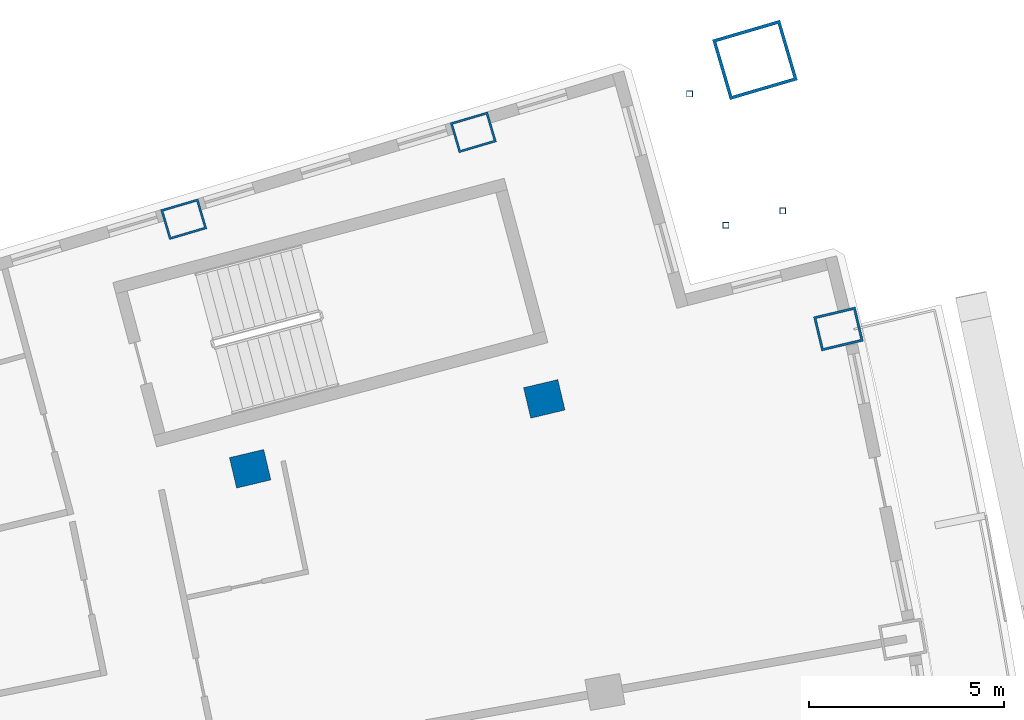
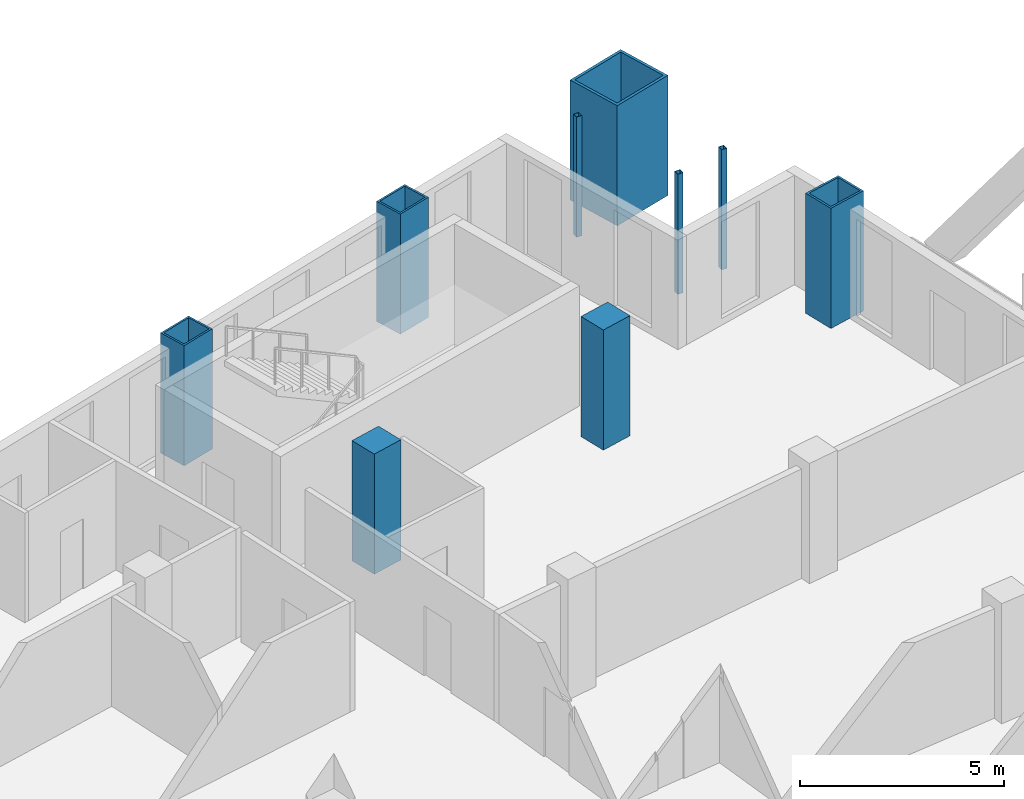
# One storey, part 8 of 19: 9 columns.
"""IFC4 building model written with IfcOpenShell, lengths in metres."""

from ifc_helpers import new_model, si_unit, direction, frame, origin, origin_2d, place, context, subcontext, project, spatial, rectangle, hollow_rectangle, extrude, material, material_profile, profile_set, type_object, element, save


model = new_model("IFC4")

# Units and contexts
model_context = context("Model", 3, precision=1e-05, world=origin(), true_north=direction((0.0, 1.0)))
body_context = subcontext(model_context, "Body", "Model", "MODEL_VIEW")
ifc_project = project(units=[si_unit("LENGTHUNIT", "METRE"), si_unit("AREAUNIT", "SQUARE_METRE"), si_unit("VOLUMEUNIT", "CUBIC_METRE"), si_unit("PLANEANGLEUNIT", "RADIAN"), si_unit("MASSUNIT", "GRAM", prefix="KILO")], contexts=[model_context])

# Site, building, storey
site_placement = place(None, origin())
site = spatial("IfcSite", under=ifc_project, at=site_placement, CompositionType="ELEMENT")
building_placement = place(site_placement, origin())
building = spatial("IfcBuilding", under=site, at=building_placement, Name="Alderwake Tower", CompositionType="ELEMENT")
storey_placement = place(building_placement, frame((0.0, 0.0, 171.199951171875)))
storey = spatial("IfcBuildingStorey", under=building, at=storey_placement, Name="L42", CompositionType="ELEMENT", Elevation=171.199951171875)

# Columns
ifc_material_1 = material(Name="Steel ASTM A572 Grade 50 concrete filled C70/85", Category="concrete")
ifc_material_profile_1 = material_profile(ifc_material_1, hollow_rectangle(XDim=0.800048828125, YDim=1.0, WallThickness=0.054931640625, at=origin_2d()), Name="BOX 1000X800X55")
ifc_profile_set_1 = profile_set([ifc_material_profile_1], Name="Steel ASTM A572 Grade 50 concrete filled C70/85")
column_type_1 = type_object("IfcColumnType", Name="End column Z3", PredefinedType="COLUMN", material=ifc_profile_set_1)
for number, where, z_axis, x_axis, name in (
    (1, (38.487060546875, 95.94677734375, 0.0), (0.0, 0.0, 1.0), (-0.282893935167, 0.959151198428, 0.0), "Column R12-C3"),
    (2, (45.89404296875, 98.17041015625, 0.0), (0.0, 0.0, 1.0), (-0.283168465256, 0.959070185276, 0.0), "Column R12-C4"),
):
    element("IfcColumn", number, at=place(storey_placement, frame(where, z_axis=z_axis, x_axis=x_axis)), inside=storey, type_object=column_type_1, Name=name, PredefinedType="COLUMN", context=body_context, shape_type="SweptSolid", body=[
        extrude(hollow_rectangle(XDim=0.800048828125, YDim=1.0, WallThickness=0.054931640625, at=origin_2d()), origin(), (0.0, 0.0, 1.0), 3.60009765625),
    ])
ifc_material_2 = material(Name="Concrete C70/85", Category="concrete")
ifc_material_profile_2 = material_profile(ifc_material_2, rectangle(XDim=0.800048828125, YDim=0.89990234375, at=origin_2d()), Name="RC 900X800")
ifc_profile_set_2 = profile_set([ifc_material_profile_2], Name="Concrete C70/85")
column_type_2 = type_object("IfcColumnType", Name="Interior column Z3", PredefinedType="COLUMN", material=ifc_profile_set_2)
for number, where, z_axis, x_axis, name in (
    (3, (40.185791015625, 89.563720703125, 0.0), (0.0, 0.0, 1.0), (-0.231221547198, 0.972901123502, 0.0), "Column R11-C3"),
    (4, (47.70947265625, 91.351806640625, 0.0), (0.0, 0.0, 1.0), (-0.231221547198, 0.972901123502, 0.0), "Column R11-C4"),
):
    element("IfcColumn", number, at=place(storey_placement, frame(where, z_axis=z_axis, x_axis=x_axis)), inside=storey, type_object=column_type_2, Name=name, PredefinedType="COLUMN", context=body_context, shape_type="SweptSolid", body=[
        extrude(rectangle(XDim=0.800048828125, YDim=0.89990234375, at=origin_2d()), origin(), (0.0, 0.0, 1.0), 3.60009765625),
    ])
ifc_material_3 = material(Name="Steel ASTM A500 Grade C", Category="steel")
ifc_material_profile_3 = material_profile(ifc_material_3, hollow_rectangle(XDim=0.15234375, YDim=0.15234375, WallThickness=0.0087890625, at=origin_2d()), Name="HSS6X6X3/8")
ifc_profile_set_3 = profile_set([ifc_material_profile_3], Name="Steel ASTM A500 Grade C")
column_type_3 = type_object("IfcColumnType", Name="Light post HSS6X6X3/8", PredefinedType="COLUMN", material=ifc_profile_set_3)
for number, where, z_axis, x_axis, name in (
    (5, (53.807861328125, 96.159423828125, 0.0), (0.0, 0.0, 1.0), (1.0, 0.0, 0.0), "Terrace post FN1"),
    (6, (51.42431640625, 99.152099609375, 0.0), (0.0, 0.0, 1.0), (1.0, 0.0, 0.0), "Terrace post FN2"),
    (7, (52.353759765625, 95.791259765625, 0.0), (0.0, 0.0, 1.0), (1.0, 0.0, 0.0), "Terrace post FN3"),
):
    element("IfcColumn", number, at=place(storey_placement, frame(where, z_axis=z_axis, x_axis=x_axis)), inside=storey, type_object=column_type_3, Name=name, PredefinedType="COLUMN", context=body_context, shape_type="SweptSolid", body=[
        extrude(hollow_rectangle(XDim=0.15234375, YDim=0.15234375, WallThickness=0.0087890625, at=origin_2d()), origin(), (0.0, 0.0, 1.0), 3.60009765625),
    ])
ifc_material_4 = material(Name="Steel ASTM A572 Grade 50 concrete filled C70/85", Category="concrete")
ifc_material_profile_4 = material_profile(ifc_material_4, hollow_rectangle(XDim=1.60009765625, YDim=1.800048828125, WallThickness=0.080078125, at=origin_2d()), Name="BOX 1800X1600X80")
ifc_profile_set_4 = profile_set([ifc_material_profile_4], Name="Steel ASTM A572 Grade 50 concrete filled C70/85")
column_type_4 = type_object("IfcColumnType", Name="Mega column Z3", PredefinedType="COLUMN", material=ifc_profile_set_4)
column_1_placement = place(storey_placement, frame((53.09765625, 100.022216796875, 0.0), z_axis=(0.0, 0.0, 1.0), x_axis=(-0.281341735468, 0.959607642677, 0.0)))
element("IfcColumn", 8, at=column_1_placement, inside=storey, type_object=column_type_4, Name="Column R12-C5", PredefinedType="COLUMN", context=body_context, shape_type="SweptSolid", body=[
    extrude(hollow_rectangle(XDim=1.60009765625, YDim=1.800048828125, WallThickness=0.080078125, at=origin_2d()), origin(), (0.0, 0.0, 1.0), 3.60009765625),
])
ifc_material_5 = material(Name="Steel ASTM A572 Grade 50 concrete filled C70/85", Category="concrete")
ifc_material_profile_5 = material_profile(ifc_material_5, hollow_rectangle(XDim=0.89990234375, YDim=1.10009765625, WallThickness=0.06005859375, at=origin_2d()), Name="BOX 1100X900X60")
ifc_profile_set_5 = profile_set([ifc_material_profile_5], Name="Steel ASTM A572 Grade 50 concrete filled C70/85")
column_type_5 = type_object("IfcColumnType", Name="Perimeter column Z3", PredefinedType="COLUMN", material=ifc_profile_set_5)
column_2_placement = place(storey_placement, frame((55.233154296875, 93.139892578125, 0.0), z_axis=(0.0, 0.0, 1.0), x_axis=(-0.231221547198, 0.972901123502, 0.0)))
element("IfcColumn", 9, at=column_2_placement, inside=storey, type_object=column_type_5, Name="Column R11-C5", PredefinedType="COLUMN", context=body_context, shape_type="SweptSolid", body=[
    extrude(hollow_rectangle(XDim=0.89990234375, YDim=1.10009765625, WallThickness=0.06005859375, at=origin_2d()), origin(), (0.0, 0.0, 1.0), 3.60009765625),
])

save(model, "model.ifc")
